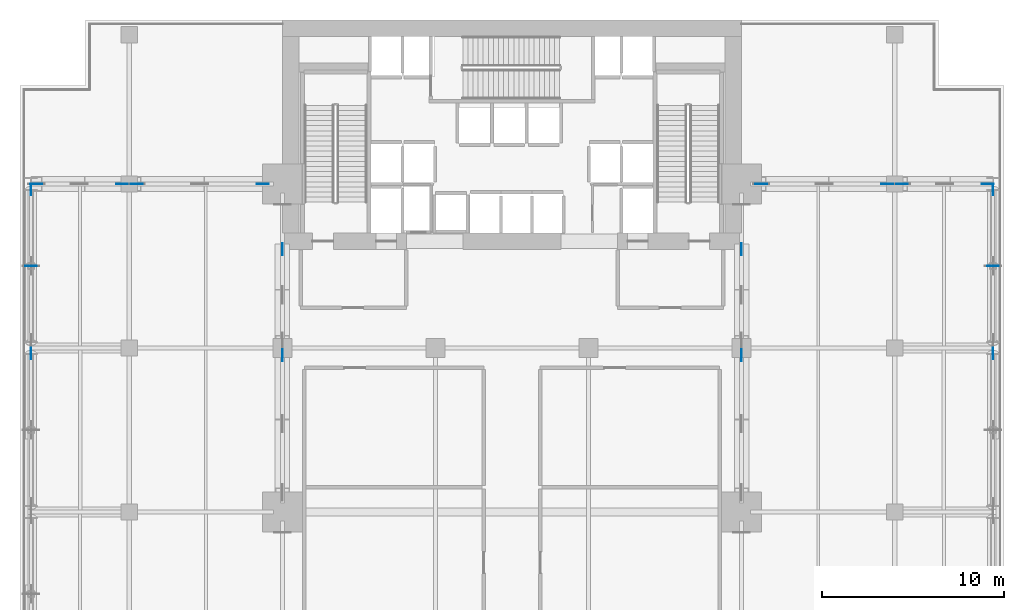
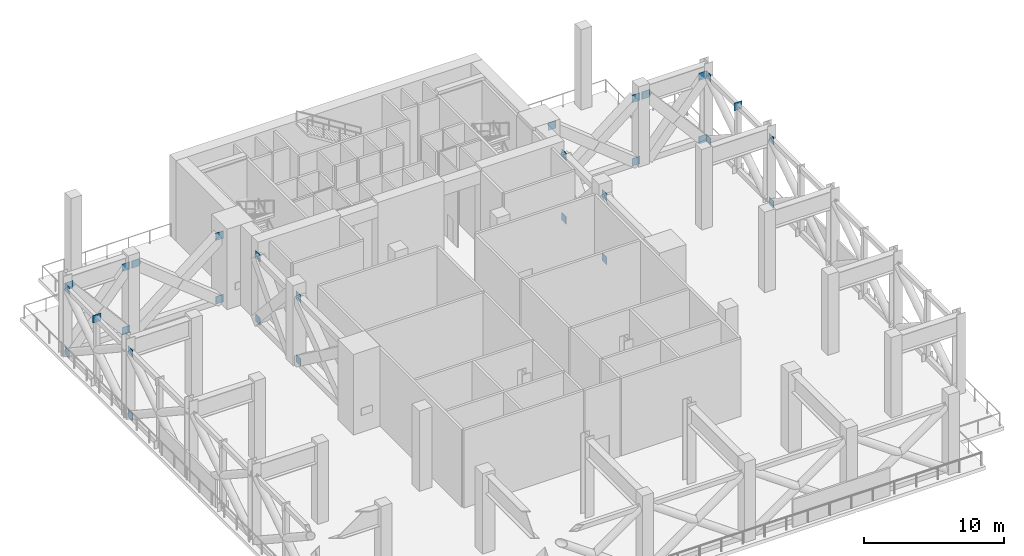
# One storey, part 10 of 16: 30 plates.
"""IFC4 building model written with IfcOpenShell, lengths in metres."""

from ifc_helpers import new_model, si_unit, direction, frame, origin, origin_2d, place, context, subcontext, project, spatial, rectangle, extrude, material, layer, layer_set, type_object, element, save


model = new_model("IFC4")

# Units and contexts
model_context = context("Model", 3, precision=1e-05, world=origin(), true_north=direction((0.0, 1.0)))
body_context = subcontext(model_context, "Body", "Model", "MODEL_VIEW")
ifc_project = project(units=[si_unit("LENGTHUNIT", "METRE"), si_unit("AREAUNIT", "SQUARE_METRE"), si_unit("VOLUMEUNIT", "CUBIC_METRE"), si_unit("PLANEANGLEUNIT", "RADIAN"), si_unit("MASSUNIT", "GRAM", prefix="KILO")], contexts=[model_context])

# Site, building, storey
site_placement = place(None, origin())
site = spatial("IfcSite", under=ifc_project, at=site_placement, CompositionType="ELEMENT")
building_placement = place(site_placement, origin())
building = spatial("IfcBuilding", under=site, at=building_placement, Name="Maruvema Waterfront Hotel and Observation Tower", CompositionType="ELEMENT")
storey_placement = place(building_placement, frame((0.0, 0.0, 115.5)))
storey = spatial("IfcBuildingStorey", under=building, at=storey_placement, Name="L28", CompositionType="ELEMENT", Elevation=115.5)

# Plates
ifc_material = material(Name="Steel ABNT NBR 7007 AR 415 (ASTM A572 Grade 50)", Category="steel")
ifc_layer = layer(ifc_material, 0.034912109375, Name="Hollow Section Sealed End Cap Plate 35 mm")
ifc_layer_set = layer_set([ifc_layer], Name="Steel ABNT NBR 7007 AR 415 (ASTM A572 Grade 50)")
plate_type = type_object("IfcPlateType", Name="Hollow Section Sealed End Cap Plate 35 mm", PredefinedType="USERDEFINED", material=ifc_layer_set)
for number, where, z_axis, x_axis, name in (
    (1, (25.199951171875, 35.60009765625, -0.074951171875), (0.0, 0.0, 1.0), (0.0, 1.0, 0.0), "L28 Outrigger Truss Bottom Chord W1 Node Plate 2"),
    (2, (25.199951171875, 35.60009765625, 5.455078125), (0.0, 0.0, 1.0), (0.0, 1.0, 0.0), "L28 Outrigger Truss Top Chord W1 Node Plate 2"),
    (3, (25.199951171875, 41.419921875, -0.074951171875), (0.0, 0.0, 1.0), (0.0, 1.0, 0.0), "L28 Outrigger Truss Bottom Chord W2 Node Plate 2"),
    (4, (25.199951171875, 41.419921875, 5.455078125), (0.0, 0.0, 1.0), (0.0, 1.0, 0.0), "L28 Outrigger Truss Top Chord W2 Node Plate 2"),
    (5, (50.39990234375, 35.60009765625, -0.074951171875), (0.0, 0.0, 1.0), (0.0, 1.0, 0.0), "L28 Outrigger Truss Bottom Chord E1 Node Plate 2"),
    (6, (50.39990234375, 35.60009765625, 5.455078125), (0.0, 0.0, 1.0), (0.0, 1.0, 0.0), "L28 Outrigger Truss Top Chord E1 Node Plate 2"),
    (7, (50.39990234375, 41.419921875, -0.074951171875), (0.0, 0.0, 1.0), (0.0, 1.0, 0.0), "L28 Outrigger Truss Bottom Chord E2 Node Plate 2"),
    (8, (50.39990234375, 41.419921875, 5.455078125), (0.0, 0.0, 1.0), (0.0, 1.0, 0.0), "L28 Outrigger Truss Top Chord E2 Node Plate 2"),
    (9, (16.39990234375, 45.0, -0.074951171875), (0.0, 0.0, 1.0), (1.0, 0.0, 0.0), "L28 Outrigger Wing Bottom Chord W1 Node Plate 2"),
    (10, (16.39990234375, 45.0, 5.455078125), (0.0, 0.0, 1.0), (1.0, 0.0, 0.0), "L28 Outrigger Wing Diagonal W1 Continuous A Node Plate 2"),
    (11, (11.699951171875, 45.0, 5.455078125), (0.0, 0.0, 1.0), (-1.0, 0.0, 0.0), "L28 Outrigger Wing Diagonal W1 Split Upper B2 Node Plate 2"),
    (12, (24.1201171875, 45.0, -0.074951171875), (0.0, 0.0, 1.0), (1.0, 0.0, 0.0), "L28 Outrigger Wing Bottom Chord W2 Node Plate 2"),
    (13, (24.1201171875, 45.0, 5.455078125), (0.0, 0.0, 1.0), (1.0, 0.0, 0.0), "L28 Outrigger Wing Diagonal W2 Continuous A Node Plate 2"),
    (14, (17.199951171875, 45.0, 5.455078125), (0.0, 0.0, 1.0), (-1.0, 0.0, 0.0), "L28 Outrigger Wing Diagonal W2 Split Upper B2 Node Plate 2"),
    (15, (58.39990234375, 45.0, -0.074951171875), (0.0, 0.0, 1.0), (1.0, 0.0, 0.0), "L28 Outrigger Wing Bottom Chord E1 Node Plate 2"),
    (16, (58.39990234375, 45.0, 5.455078125), (0.0, 0.0, 1.0), (1.0, 0.0, 0.0), "L28 Outrigger Wing Diagonal E1 Continuous A Node Plate 2"),
    (17, (51.47998046875, 45.0, 5.455078125), (0.0, 0.0, 1.0), (-1.0, 0.0, 0.0), "L28 Outrigger Wing Diagonal E1 Split Upper B2 Node Plate 2"),
    (18, (63.89990234375, 45.0, -0.074951171875), (0.0, 0.0, 1.0), (1.0, 0.0, 0.0), "L28 Outrigger Wing Bottom Chord E2 Node Plate 2"),
    (19, (63.89990234375, 45.0, 5.455078125), (0.0, 0.0, 1.0), (1.0, 0.0, 0.0), "L28 Outrigger Wing Diagonal E2 Continuous A Node Plate 2"),
    (20, (59.199951171875, 45.0, 5.455078125), (0.0, 0.0, 1.0), (-1.0, 0.0, 0.0), "L28 Outrigger Wing Diagonal E2 Split Upper B2 Node Plate 2"),
    (21, (11.39990234375, 35.699951171875, -0.074951171875), (0.0, 0.0, 1.0), (0.0, 1.0, 0.0), "L28 Perimeter Belt Truss Chord W3 Node Plate 2"),
    (22, (11.39990234375, 35.699951171875, 5.455078125), (0.0, 0.0, 1.0), (0.0, 1.0, 0.0), "L28 Perimeter Belt Truss Top Chord W3 Node Plate 2"),
    (23, (11.39990234375, 44.699951171875, -0.074951171875), (0.0, 0.0, 1.0), (0.0, 1.0, 0.0), "L28 Perimeter Belt Truss Chord W4 Node Plate 2"),
    (24, (11.39990234375, 44.699951171875, 5.455078125), (0.0, 0.0, 1.0), (0.0, 1.0, 0.0), "L28 Perimeter Belt Truss Top Chord W4 Node Plate 2"),
    (25, (11.39990234375, 40.5, 5.455078125), (0.0, 0.0, 1.0), (1.0, 0.0, 0.0), "L28 Perimeter Belt Truss Post W4 Node Plate 2"),
    (26, (64.199951171875, 35.699951171875, -0.074951171875), (0.0, 0.0, 1.0), (0.0, 1.0, 0.0), "L28 Perimeter Belt Truss Chord E7 Node Plate 2"),
    (27, (64.199951171875, 35.699951171875, 5.455078125), (0.0, 0.0, 1.0), (0.0, 1.0, 0.0), "L28 Perimeter Belt Truss Top Chord E7 Node Plate 2"),
    (28, (64.199951171875, 44.699951171875, -0.074951171875), (0.0, 0.0, 1.0), (0.0, 1.0, 0.0), "L28 Perimeter Belt Truss Chord E8 Node Plate 2"),
    (29, (64.199951171875, 44.699951171875, 5.455078125), (0.0, 0.0, 1.0), (0.0, 1.0, 0.0), "L28 Perimeter Belt Truss Top Chord E8 Node Plate 2"),
    (30, (64.199951171875, 40.5, 5.455078125), (0.0, 0.0, 1.0), (1.0, 0.0, 0.0), "L28 Perimeter Belt Truss Post E8 Node Plate 2"),
):
    element("IfcPlate", number, at=place(storey_placement, frame(where, z_axis=z_axis, x_axis=x_axis)), inside=storey, type_object=plate_type, Name=name, ObjectType="END_CAP_PLATE", PredefinedType="USERDEFINED", context=body_context, shape_type="SweptSolid", body=[
        extrude(rectangle(XDim=0.64990234375, YDim=0.034912109375, at=origin_2d()), origin(), (0.0, 0.0, 1.0), 0.64990234375),
    ])

save(model, "model.ifc")
